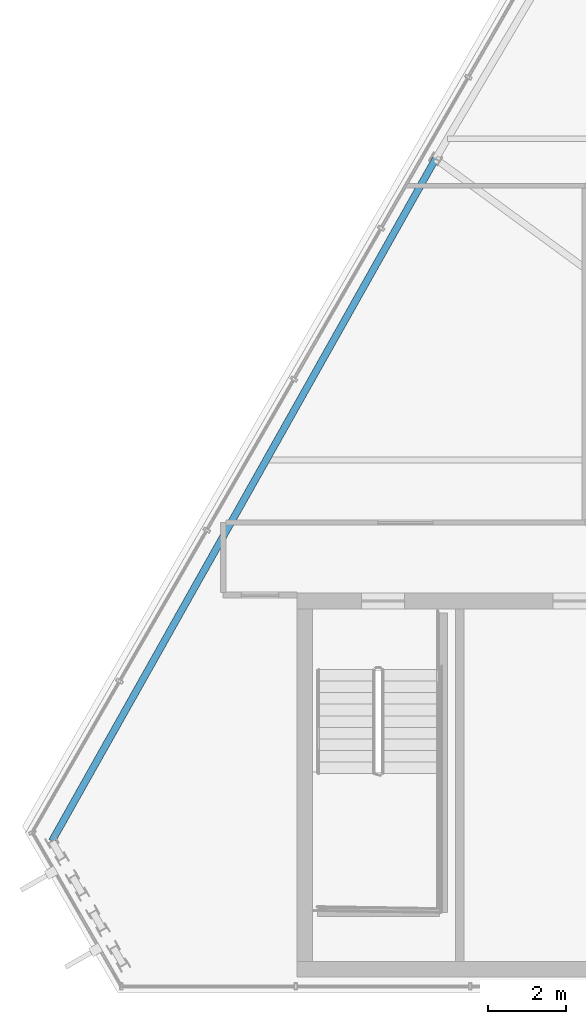
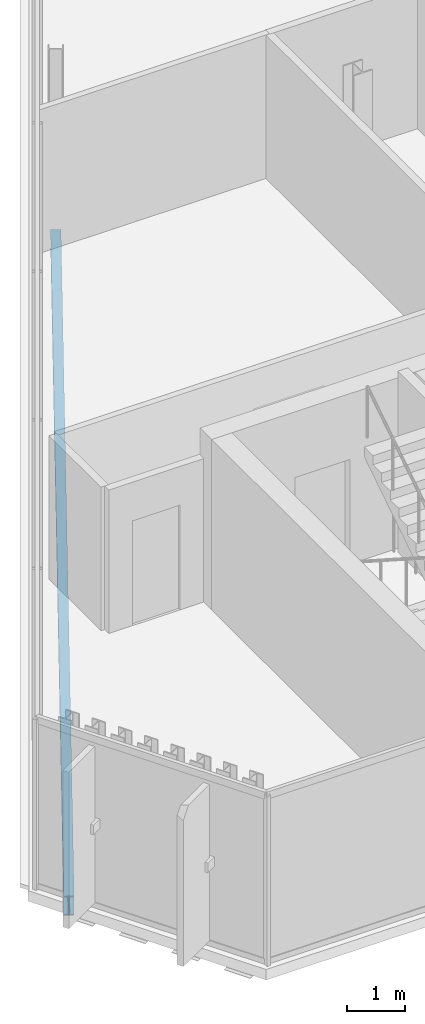
# One storey, part 5 of 32: 1 beam.
"""IFC4 building model written with IfcOpenShell, lengths in metres."""

from ifc_helpers import new_model, si_unit, direction, frame, origin, origin_2d, place, context, subcontext, project, spatial, i_section, extrude, material, material_profile, profile_set, type_object, element, save


model = new_model("IFC4")

# Units and contexts
model_context = context("Model", 3, precision=1e-05, world=origin(), true_north=direction((0.0, 1.0)))
body_context = subcontext(model_context, "Body", "Model", "MODEL_VIEW")
ifc_project = project(units=[si_unit("LENGTHUNIT", "METRE"), si_unit("AREAUNIT", "SQUARE_METRE"), si_unit("VOLUMEUNIT", "CUBIC_METRE"), si_unit("PLANEANGLEUNIT", "RADIAN"), si_unit("MASSUNIT", "GRAM", prefix="KILO")], contexts=[model_context])

# Site, building, storey
site_placement = place(None, origin())
site = spatial("IfcSite", under=ifc_project, at=site_placement, CompositionType="ELEMENT")
building_placement = place(site_placement, origin())
building = spatial("IfcBuilding", under=site, at=building_placement, Name="Ndaravel Arena Tower", CompositionType="ELEMENT")
storey_placement = place(building_placement, frame((0.0, 0.0, 283.300048828125)))
storey = spatial("IfcBuildingStorey", under=building, at=storey_placement, Name="L69", CompositionType="ELEMENT", Elevation=283.300048828125)

# Beam
ifc_material = material(Name="Steel S355", Category="steel")
ifc_material_profile = material_profile(ifc_material, i_section(OverallWidth=0.179931640625, OverallDepth=0.39990234375, WebThickness=0.008544921875, FlangeThickness=0.013427734375, FilletRadius=0.02099609375, at=origin_2d()), Name="IPE 400")
ifc_profile_set = profile_set([ifc_material_profile], Name="Steel S355")
beam_type = type_object("IfcBeamType", Name="BM-SPAN-IPE400", PredefinedType="SPANDREL", material=ifc_profile_set)
beam_placement = place(storey_placement, frame((29.9873046875, 26.286865234375, -0.420166015625), z_axis=(-0.490170744619, -0.871626434386, 0.0), x_axis=(0.871626434386, -0.490170744619, 0.0)))
element("IfcBeam", 1, at=beam_placement, inside=storey, type_object=beam_type, Name="L69 Perimeter Spandrel Beam SP-19", PredefinedType="SPANDREL", context=body_context, shape_type="SweptSolid", body=[
    extrude(i_section(OverallWidth=0.179931640625, OverallDepth=0.39990234375, WebThickness=0.008544921875, FlangeThickness=0.013427734375, FilletRadius=0.02099609375, at=origin_2d()), origin(), (0.0, 0.0, 1.0), 19.982177734375),
])

save(model, "model.ifc")
